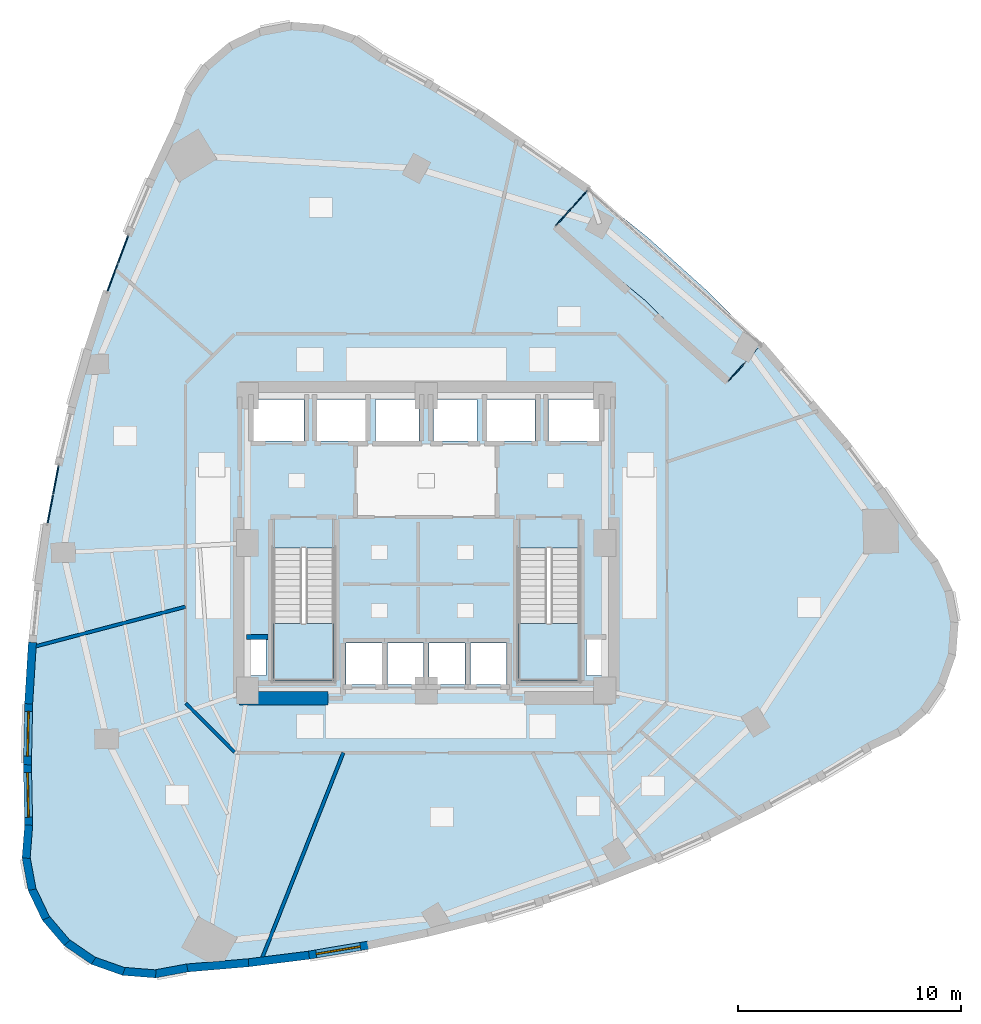
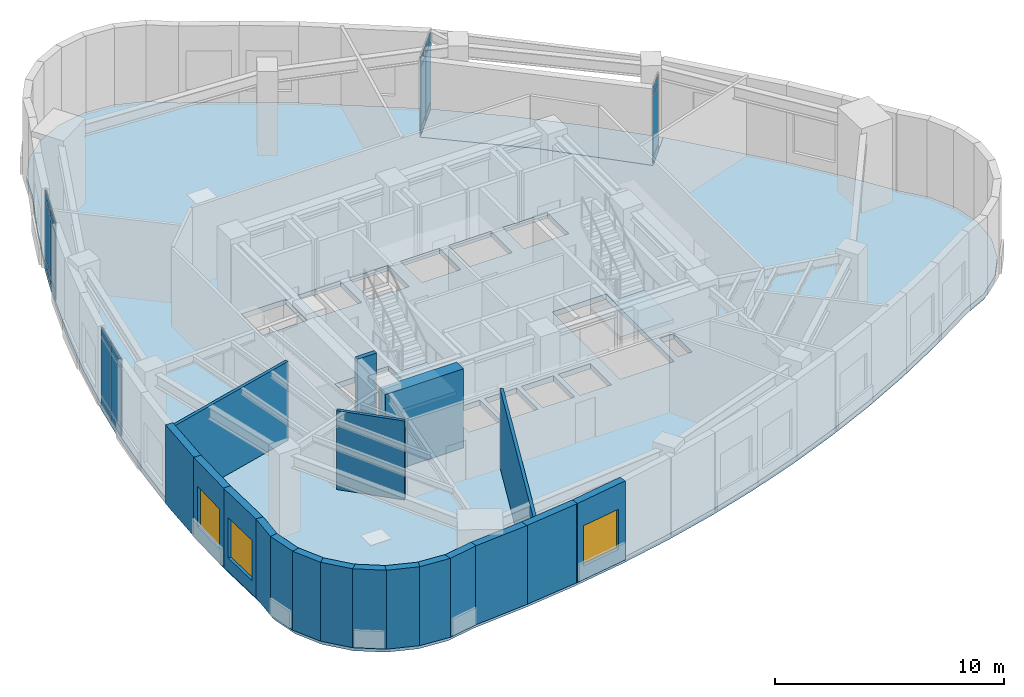
# One storey, part 12 of 19: 21 plates, 19 walls, 4 slabs, 3 windows, 3 openings, 6 elements without a shape of their own.
"""IFC4 building model written with IfcOpenShell, lengths in metres."""

import ifcopenshell
import ifcopenshell.guid

model = None  # the IFC model being written
_history = None  # IfcOwnerHistory: only IFC2X3 demands one
_inside = {}  # id of a spatial element -> (the spatial element, [elements in it])
_under = {}  # id of a project, library or spatial element -> (it, [spatial elements below it])
_declared = {}  # id of a project -> (the project, [libraries it declares])
_typed = {}  # id of a type object -> (the type object, [elements of that type])
_made_of = {}  # id of a material, layer set ... -> (it, [elements and type objects made of it])


def new_model(schema):
    """Start an empty IFC model of exactly this schema.

    Asked for "IFC4X3", IfcOpenShell would pick the latest addendum, in which some entities
    have other attributes; the version numbers below select the first issue.
    IFC2X3 requires an IfcOwnerHistory on every rooted entity: one is made here for all.
    """
    global model, _history
    if schema == "IFC4X3":
        model = ifcopenshell.file(schema_version=(4, 3, 0, 0))
    else:
        model = ifcopenshell.file(schema=schema)
    _inside.clear()
    _under.clear()
    _declared.clear()
    _typed.clear()
    _made_of.clear()
    _history = None
    if model.schema == "IFC2X3":
        org = make("IfcOrganization", Name="unknown")
        user = make(
            "IfcPersonAndOrganization",
            ThePerson=make("IfcPerson", FamilyName="unknown"),
            TheOrganization=org,
        )
        app = make(
            "IfcApplication",
            ApplicationDeveloper=org,
            Version="unknown",
            ApplicationFullName="unknown",
            ApplicationIdentifier="unknown",
        )
        _history = make(
            "IfcOwnerHistory",
            OwningUser=user,
            OwningApplication=app,
            ChangeAction="ADDED",
            CreationDate=0,
        )
    return model


def make(cls, **values):
    """One entity of the class cls with the attributes given. An attribute that is None is left unset."""
    return model.create_entity(
        cls, **{name: value for name, value in values.items() if value is not None}
    )


def rooted(cls, **values):
    """An entity with a GlobalId (a new one), such as an element, a storey or a relation."""
    return make(cls, GlobalId=ifcopenshell.guid.new(), OwnerHistory=_history, **values)


def si_unit(unit_type, name, prefix=None):
    """IfcSIUnit, for example si_unit("LENGTHUNIT", "METRE", prefix="MILLI")."""
    return make("IfcSIUnit", UnitType=unit_type, Prefix=prefix, Name=name)


def assignment(units):
    """IfcUnitAssignment: the units of a project."""
    return None if units is None else make("IfcUnitAssignment", Units=units)


def point(xyz):
    """IfcCartesianPoint."""
    return None if xyz is None else make("IfcCartesianPoint", Coordinates=xyz)


def direction(xyz):
    """IfcDirection."""
    return None if xyz is None else make("IfcDirection", DirectionRatios=xyz)


def frame(location, z_axis=None, x_axis=None):
    """IfcAxis2Placement3D, a coordinate frame: its origin and axes. An axis left out is left unset."""
    return make(
        "IfcAxis2Placement3D",
        Location=point(location),
        Axis=direction(z_axis),
        RefDirection=direction(x_axis),
    )


def frame_2d(location, x_axis=None):
    """IfcAxis2Placement2D, a coordinate frame in the plane: its origin and x axis."""
    return make(
        "IfcAxis2Placement2D", Location=point(location), RefDirection=direction(x_axis)
    )


def origin():
    """The frame at (0, 0, 0) with its axes left unset."""
    return frame((0.0, 0.0, 0.0))


def origin_2d():
    """The frame at (0, 0) in the plane with its x axis left unset."""
    return frame_2d((0.0, 0.0))


def place(relative_to, where):
    """IfcLocalPlacement: puts the frame where relative to a parent placement (None: the world)."""
    return make(
        "IfcLocalPlacement", PlacementRelTo=relative_to, RelativePlacement=where
    )


def context(
    kind, dimensions, precision=None, world=None, true_north=None, identifier=None
):
    """IfcGeometricRepresentationContext, for example the 3D "Model" context."""
    return make(
        "IfcGeometricRepresentationContext",
        ContextIdentifier=identifier,
        ContextType=kind,
        CoordinateSpaceDimension=dimensions,
        Precision=precision,
        WorldCoordinateSystem=world,
        TrueNorth=true_north,
    )


def subcontext(parent, identifier, kind, view, scale=None):
    """IfcGeometricRepresentationSubContext, for example "Body" below "Model"."""
    return make(
        "IfcGeometricRepresentationSubContext",
        ContextIdentifier=identifier,
        ContextType=kind,
        ParentContext=parent,
        TargetScale=scale,
        TargetView=view,
    )


def project(units=None, contexts=None):
    """IfcProject with its units and contexts."""
    return rooted(
        "IfcProject",
        Name="project",
        RepresentationContexts=contexts,
        UnitsInContext=assignment(units),
    )


def spatial(cls, under=None, at=None, **own):
    """A site, building, storey or space (cls), placed at a placement, below another one or the project."""
    s = rooted(cls, ObjectPlacement=at, **own)
    if under is not None:
        _under.setdefault(under.id(), (under, []))[1].append(s)
    return s


def polyline(points):
    """IfcPolyline through the points."""
    return make("IfcPolyline", Points=[point(p) for p in points])


def profile(cls, at=None, kind="AREA", **sizes):
    """A parametric profile (cls). Its sizes go by their IFC names, for example OverallWidth=200.0."""
    return make(cls, ProfileType=kind, Position=at, **sizes)


def rectangle(**sizes):
    """IfcRectangleProfileDef."""
    return profile("IfcRectangleProfileDef", **sizes)


def outline(outer, holes=None, kind="AREA"):
    """IfcArbitraryClosedProfileDef: a profile drawn as a closed curve; with holes, ...WithVoids."""
    if holes is None:
        return make("IfcArbitraryClosedProfileDef", ProfileType=kind, OuterCurve=outer)
    return make(
        "IfcArbitraryProfileDefWithVoids",
        ProfileType=kind,
        OuterCurve=outer,
        InnerCurves=holes,
    )


def extrude(swept, where, along, depth):
    """IfcExtrudedAreaSolid: the profile swept, set in the frame where, extruded along a direction by depth."""
    return make(
        "IfcExtrudedAreaSolid",
        SweptArea=swept,
        Position=where,
        ExtrudedDirection=direction(along),
        Depth=depth,
    )


def shape(context_of_items, identifier, shape_type, items):
    """IfcShapeRepresentation: the items that make up one representation, for example the "Body"."""
    return make(
        "IfcShapeRepresentation",
        ContextOfItems=context_of_items,
        RepresentationIdentifier=identifier,
        RepresentationType=shape_type,
        Items=items,
    )


def material(Name=None, Category=None):
    """IfcMaterial."""
    return make("IfcMaterial", Name=Name, Category=Category)


def layer(
    of_material, thickness, ventilated=None, Name=None, Category=None, Priority=None
):
    """IfcMaterialLayer: one layer of a wall or slab, of a material (None: an air gap)."""
    return make(
        "IfcMaterialLayer",
        Material=of_material,
        LayerThickness=thickness,
        IsVentilated=ventilated,
        Name=Name,
        Category=Category,
        Priority=Priority,
    )


def layer_set(layers, Name=None):
    """IfcMaterialLayerSet."""
    return make("IfcMaterialLayerSet", MaterialLayers=layers, LayerSetName=Name)


def made_of(thing, what):
    """Note that an element or type object is made of a material, layer set ...; save() writes the relation."""
    if what is not None:
        _made_of.setdefault(what.id(), (what, []))[1].append(thing)
    return thing


def type_object(cls, material=None, **own):
    """A type object (cls), such as IfcWallType, which elements share."""
    return made_of(rooted(cls, **own), material)


def element(
    cls,
    number,
    at=None,
    inside=None,
    cuts=None,
    type_object=None,
    material=None,
    context=None,
    identifier="Body",
    shape_type=None,
    held_by="IfcProductDefinitionShape",
    body=None,
    shapes=None,
    **own,
):
    """One element of the class cls, such as IfcWall. Its Tag is "e" and its number.

    at: its placement. inside: the storey or other place that contains it. cuts: it is an
    opening in that element (IfcRelVoidsElement). A single representation is given by context,
    identifier, shape_type and body (its items); several are given by shapes. held_by: the class
    of the entity that holds the representations. save() writes the other relations.
    """
    e = rooted(cls, Tag="e%d" % number, ObjectPlacement=at, **own)
    if body is not None:
        shapes = [shape(context, identifier, shape_type, body)]
    if shapes is not None:
        e.Representation = make(held_by, Representations=shapes)
    if inside is not None:
        _inside.setdefault(inside.id(), (inside, []))[1].append(e)
    if cuts is not None:
        rooted(
            "IfcRelVoidsElement", RelatingBuildingElement=cuts, RelatedOpeningElement=e
        )
    if type_object is not None:
        _typed.setdefault(type_object.id(), (type_object, []))[1].append(e)
    return made_of(e, material)


def fill(opening, filler):
    """IfcRelFillsElement: the door or window that sits in an opening."""
    return rooted(
        "IfcRelFillsElement",
        RelatingOpeningElement=opening,
        RelatedBuildingElement=filler,
    )


def aggregate(whole, parts):
    """IfcRelAggregates: a whole, such as a stair, and the parts it consists of."""
    return rooted("IfcRelAggregates", RelatingObject=whole, RelatedObjects=parts)


def save(model, path):
    """Write the relations noted so far, then the file.

    IfcRelAggregates (storeys below a building ...), IfcRelContainedInSpatialStructure (elements
    in a storey), IfcRelDefinesByType, IfcRelAssociatesMaterial and IfcRelDeclares: one each for
    every whole, place, type object, material and project.
    """
    for whole, parts in _under.values():
        aggregate(whole, parts)
    for where, things in _inside.values():
        rooted(
            "IfcRelContainedInSpatialStructure",
            RelatedElements=things,
            RelatingStructure=where,
        )
    for kind, things in _typed.values():
        rooted("IfcRelDefinesByType", RelatedObjects=things, RelatingType=kind)
    for what, things in _made_of.values():
        rooted("IfcRelAssociatesMaterial", RelatedObjects=things, RelatingMaterial=what)
    for by, libraries in _declared.values():
        rooted("IfcRelDeclares", RelatingContext=by, RelatedDefinitions=libraries)
    model.write(path)


model = new_model("IFC4")

# Units and contexts
model_context = context("Model", 3, precision=1e-05, world=origin(), true_north=direction((0.0, 1.0)))
body_context = subcontext(model_context, "Body", "Model", "MODEL_VIEW")
ifc_project = project(units=[si_unit("LENGTHUNIT", "METRE"), si_unit("AREAUNIT", "SQUARE_METRE"), si_unit("VOLUMEUNIT", "CUBIC_METRE"), si_unit("PLANEANGLEUNIT", "RADIAN"), si_unit("MASSUNIT", "GRAM", prefix="KILO")], contexts=[model_context])

# Site, building, storey
site_placement = place(None, origin())
site = spatial("IfcSite", under=ifc_project, at=site_placement, CompositionType="ELEMENT")
building_placement = place(site_placement, origin())
building = spatial("IfcBuilding", under=site, at=building_placement, Name="Ndelora Gate Hotel", CompositionType="ELEMENT")
storey_placement = place(building_placement, frame((0.0, 0.0, 88.25)))
storey = spatial("IfcBuildingStorey", under=building, at=storey_placement, Name="L21", CompositionType="ELEMENT", Elevation=88.25)

# Curtain wall, plates
ifc_material_1 = material(Name="Bronze Anodised Unitised Aluminium and Low-E Glass", Category="aluminium")
ifc_layer_1 = layer(ifc_material_1, 0.199951171875)
ifc_layer_set_1 = layer_set([ifc_layer_1], Name="Bronze Anodised Unitised Aluminium and Low-E Glass")
curtain_wall_type_1 = type_object("IfcCurtainWallType", Name="CW-SYS-3", PredefinedType="NOTDEFINED", material=ifc_layer_set_1)
curtain_wall_1_placement = place(storey_placement, origin())
curtain_wall_1 = element("IfcCurtainWall", 1, at=curtain_wall_1_placement, inside=storey, type_object=curtain_wall_type_1, Name="L21 Sky-Garden Loggia Side Curtain Wall CW3-1", PredefinedType="NOTDEFINED")
ifc_material_2 = material(Name="Solar-Control Low-E Insulated Glazing", Category="glass")
ifc_layer_2 = layer(ifc_material_2, 0.048095703125)
ifc_layer_set_2 = layer_set([ifc_layer_2], Name="Solar-Control Low-E Insulated Glazing")
plate_type = type_object("IfcPlateType", Name="PL-CW-GLZ36", PredefinedType="CURTAIN_PANEL", material=ifc_layer_set_2)
plate_1_placement = place(storey_placement, frame((13.878173828125, 7.641845703125, 0.05908203125), z_axis=(0.0, 0.0, 1.0), x_axis=(0.66911548338, 0.74315844199, 0.0)))
plate_1 = element("IfcPlate", 2, at=plate_1_placement, type_object=plate_type, Name="CW3 panel 1.1", PredefinedType="CURTAIN_PANEL", context=body_context, shape_type="SweptSolid", body=[
    extrude(rectangle(XDim=0.9814453125, YDim=0.048095703125, at=origin_2d()), origin(), (0.0, 0.0, 1.0), 0.364501953125),
])
plate_2_placement = place(storey_placement, frame((13.878173828125, 7.641845703125, 0.4765625), z_axis=(0.0, 0.0, 1.0), x_axis=(0.66911548338, 0.74315844199, 0.0)))
plate_2 = element("IfcPlate", 3, at=plate_2_placement, type_object=plate_type, Name="CW3 panel 1.2", PredefinedType="CURTAIN_PANEL", context=body_context, shape_type="SweptSolid", body=[
    extrude(rectangle(XDim=0.9814453125, YDim=0.048095703125, at=origin_2d()), origin(), (0.0, 0.0, 1.0), 3.156982421875),
])
plate_3_placement = place(storey_placement, frame((13.878173828125, 7.641845703125, 3.6865234375), z_axis=(0.0, 0.0, 1.0), x_axis=(0.66911548338, 0.74315844199, 0.0)))
plate_3 = element("IfcPlate", 4, at=plate_3_placement, type_object=plate_type, Name="CW3 panel 1.3", PredefinedType="CURTAIN_PANEL", context=body_context, shape_type="SweptSolid", body=[
    extrude(rectangle(XDim=0.9814453125, YDim=0.048095703125, at=origin_2d()), origin(), (0.0, 0.0, 1.0), 0.464599609375),
])
aggregate(curtain_wall_1, [plate_1, plate_2, plate_3])

curtain_wall_2_placement = place(storey_placement, origin())
curtain_wall_2 = element("IfcCurtainWall", 5, at=curtain_wall_2_placement, inside=storey, type_object=curtain_wall_type_1, Name="L21 Sky-Garden Loggia Side Curtain Wall CW3-2", PredefinedType="NOTDEFINED")
plate_4_placement = place(storey_placement, frame((6.874755859375, 15.406494140625, 0.05908203125), z_axis=(0.0, 0.0, 1.0), x_axis=(-0.669137993626, -0.743138173886, 0.0)))
plate_4 = element("IfcPlate", 6, at=plate_4_placement, type_object=plate_type, Name="CW3 panel 1.1", PredefinedType="CURTAIN_PANEL", context=body_context, shape_type="SweptSolid", body=[
    extrude(rectangle(XDim=1.014404296875, YDim=0.048095703125, at=origin_2d()), origin(), (0.0, 0.0, 1.0), 0.364501953125),
])
plate_5_placement = place(storey_placement, frame((6.874755859375, 15.406494140625, 0.4765625), z_axis=(0.0, 0.0, 1.0), x_axis=(-0.669137993626, -0.743138173886, 0.0)))
plate_5 = element("IfcPlate", 7, at=plate_5_placement, type_object=plate_type, Name="CW3 panel 1.2", PredefinedType="CURTAIN_PANEL", context=body_context, shape_type="SweptSolid", body=[
    extrude(rectangle(XDim=1.014404296875, YDim=0.048095703125, at=origin_2d()), origin(), (0.0, 0.0, 1.0), 3.156982421875),
])
plate_6_placement = place(storey_placement, frame((6.874755859375, 15.406494140625, 3.6865234375), z_axis=(0.0, 0.0, 1.0), x_axis=(-0.669137993626, -0.743138173886, 0.0)))
plate_6 = element("IfcPlate", 8, at=plate_6_placement, type_object=plate_type, Name="CW3 panel 1.3", PredefinedType="CURTAIN_PANEL", context=body_context, shape_type="SweptSolid", body=[
    extrude(rectangle(XDim=1.014404296875, YDim=0.048095703125, at=origin_2d()), origin(), (0.0, 0.0, 1.0), 0.464599609375),
])
plate_7_placement = place(storey_placement, frame((6.160400390625, 14.61328125, 0.05908203125), z_axis=(0.0, 0.0, 1.0), x_axis=(-0.669137993626, -0.743138173886, 0.0)))
plate_7 = element("IfcPlate", 9, at=plate_7_placement, type_object=plate_type, Name="CW3 panel 2.1", PredefinedType="CURTAIN_PANEL", context=body_context, shape_type="SweptSolid", body=[
    extrude(rectangle(XDim=1.014404296875, YDim=0.048095703125, at=origin_2d()), origin(), (0.0, 0.0, 1.0), 0.364501953125),
])
plate_8_placement = place(storey_placement, frame((6.160400390625, 14.61328125, 0.4765625), z_axis=(0.0, 0.0, 1.0), x_axis=(-0.669137993626, -0.743138173886, 0.0)))
plate_8 = element("IfcPlate", 10, at=plate_8_placement, type_object=plate_type, Name="CW3 panel 2.2", PredefinedType="CURTAIN_PANEL", context=body_context, shape_type="SweptSolid", body=[
    extrude(rectangle(XDim=1.014404296875, YDim=0.048095703125, at=origin_2d()), origin(), (0.0, 0.0, 1.0), 3.156982421875),
])
plate_9_placement = place(storey_placement, frame((6.160400390625, 14.61328125, 3.6865234375), z_axis=(0.0, 0.0, 1.0), x_axis=(-0.669137993626, -0.743138173886, 0.0)))
plate_9 = element("IfcPlate", 11, at=plate_9_placement, type_object=plate_type, Name="CW3 panel 2.3", PredefinedType="CURTAIN_PANEL", context=body_context, shape_type="SweptSolid", body=[
    extrude(rectangle(XDim=1.014404296875, YDim=0.048095703125, at=origin_2d()), origin(), (0.0, 0.0, 1.0), 0.464599609375),
])
aggregate(curtain_wall_2, [plate_4, plate_5, plate_6, plate_7, plate_8, plate_9])

ifc_layer_3 = layer(ifc_material_1, 0.2099609375)
ifc_layer_set_3 = layer_set([ifc_layer_3], Name="Bronze Anodised Unitised Aluminium and Low-E Glass")
curtain_wall_type_2 = type_object("IfcCurtainWallType", Name="CW-SYS-4", PredefinedType="NOTDEFINED", material=ifc_layer_set_3)
curtain_wall_3_placement = place(storey_placement, origin())
curtain_wall_3 = element("IfcCurtainWall", 12, at=curtain_wall_3_placement, inside=storey, type_object=curtain_wall_type_2, Name="L21 Lower Sky-Lobby & Highland Spa Curtain Wall 1", PredefinedType="NOTDEFINED")
plate_10_placement = place(storey_placement, frame((-13.58203125, 13.151123046875, 0.05908203125), z_axis=(0.0, 0.0, 1.0), x_axis=(-0.349627701764, -0.93688871813, 0.0)))
plate_10 = element("IfcPlate", 13, at=plate_10_placement, type_object=plate_type, Name="CW4 panel 1.1", PredefinedType="CURTAIN_PANEL", context=body_context, shape_type="SweptSolid", body=[
    extrude(rectangle(XDim=1.28857421875, YDim=0.048095703125, at=origin_2d()), origin(), (0.0, 0.0, 1.0), 0.41455078125),
])
plate_11_placement = place(storey_placement, frame((-13.58203125, 13.151123046875, 0.526611328125), z_axis=(0.0, 0.0, 1.0), x_axis=(-0.349627701764, -0.93688871813, 0.0)))
plate_11 = element("IfcPlate", 14, at=plate_11_placement, type_object=plate_type, Name="CW4 panel 1.2", PredefinedType="CURTAIN_PANEL", context=body_context, shape_type="SweptSolid", body=[
    extrude(rectangle(XDim=1.28857421875, YDim=0.048095703125, at=origin_2d()), origin(), (0.0, 0.0, 1.0), 3.10693359375),
])
plate_12_placement = place(storey_placement, frame((-13.58203125, 13.151123046875, 3.6865234375), z_axis=(0.0, 0.0, 1.0), x_axis=(-0.349627701764, -0.93688871813, 0.0)))
plate_12 = element("IfcPlate", 15, at=plate_12_placement, type_object=plate_type, Name="CW4 panel 1.3", PredefinedType="CURTAIN_PANEL", context=body_context, shape_type="SweptSolid", body=[
    extrude(rectangle(XDim=1.28857421875, YDim=0.048095703125, at=origin_2d()), origin(), (0.0, 0.0, 1.0), 0.464599609375),
])
plate_13_placement = place(storey_placement, frame((-14.05126953125, 11.89404296875, 0.05908203125), z_axis=(0.0, 0.0, 1.0), x_axis=(-0.349627701764, -0.93688871813, 0.0)))
plate_13 = element("IfcPlate", 16, at=plate_13_placement, type_object=plate_type, Name="CW4 panel 2.1", PredefinedType="CURTAIN_PANEL", context=body_context, shape_type="SweptSolid", body=[
    extrude(rectangle(XDim=1.28857421875, YDim=0.048095703125, at=origin_2d()), origin(), (0.0, 0.0, 1.0), 0.41455078125),
])
plate_14_placement = place(storey_placement, frame((-14.05126953125, 11.89404296875, 0.526611328125), z_axis=(0.0, 0.0, 1.0), x_axis=(-0.349627701764, -0.93688871813, 0.0)))
plate_14 = element("IfcPlate", 17, at=plate_14_placement, type_object=plate_type, Name="CW4 panel 2.2", PredefinedType="CURTAIN_PANEL", context=body_context, shape_type="SweptSolid", body=[
    extrude(rectangle(XDim=1.28857421875, YDim=0.048095703125, at=origin_2d()), origin(), (0.0, 0.0, 1.0), 3.10693359375),
])
plate_15_placement = place(storey_placement, frame((-14.05126953125, 11.89404296875, 3.6865234375), z_axis=(0.0, 0.0, 1.0), x_axis=(-0.349627701764, -0.93688871813, 0.0)))
plate_15 = element("IfcPlate", 18, at=plate_15_placement, type_object=plate_type, Name="CW4 panel 2.3", PredefinedType="CURTAIN_PANEL", context=body_context, shape_type="SweptSolid", body=[
    extrude(rectangle(XDim=1.28857421875, YDim=0.048095703125, at=origin_2d()), origin(), (0.0, 0.0, 1.0), 0.464599609375),
])
aggregate(curtain_wall_3, [plate_10, plate_11, plate_12, plate_13, plate_14, plate_15])

curtain_wall_4_placement = place(storey_placement, origin())
curtain_wall_4 = element("IfcCurtainWall", 19, at=curtain_wall_4_placement, inside=storey, type_object=curtain_wall_type_2, Name="L21 Lower Sky-Lobby & Highland Spa Curtain Wall 2", PredefinedType="NOTDEFINED")
plate_16_placement = place(storey_placement, frame((-16.5888671875, 2.8349609375, 0.05908203125), z_axis=(0.0, 0.0, 1.0), x_axis=(-0.187056346946, -0.982349185915, 0.0)))
plate_16 = element("IfcPlate", 20, at=plate_16_placement, type_object=plate_type, Name="CW4 panel 1.1", PredefinedType="CURTAIN_PANEL", context=body_context, shape_type="SweptSolid", body=[
    extrude(rectangle(XDim=1.274169921875, YDim=0.048095703125, at=origin_2d()), origin(), (0.0, 0.0, 1.0), 0.41455078125),
])
plate_17_placement = place(storey_placement, frame((-16.5888671875, 2.8349609375, 0.526611328125), z_axis=(0.0, 0.0, 1.0), x_axis=(-0.187056346946, -0.982349185915, 0.0)))
plate_17 = element("IfcPlate", 21, at=plate_17_placement, type_object=plate_type, Name="CW4 panel 1.2", PredefinedType="CURTAIN_PANEL", context=body_context, shape_type="SweptSolid", body=[
    extrude(rectangle(XDim=1.274169921875, YDim=0.048095703125, at=origin_2d()), origin(), (0.0, 0.0, 1.0), 3.10693359375),
])
plate_18_placement = place(storey_placement, frame((-16.5888671875, 2.8349609375, 3.6865234375), z_axis=(0.0, 0.0, 1.0), x_axis=(-0.187056346946, -0.982349185915, 0.0)))
plate_18 = element("IfcPlate", 22, at=plate_18_placement, type_object=plate_type, Name="CW4 panel 1.3", PredefinedType="CURTAIN_PANEL", context=body_context, shape_type="SweptSolid", body=[
    extrude(rectangle(XDim=1.274169921875, YDim=0.048095703125, at=origin_2d()), origin(), (0.0, 0.0, 1.0), 0.464599609375),
])
plate_19_placement = place(storey_placement, frame((-16.837158203125, 1.53125, 0.05908203125), z_axis=(0.0, 0.0, 1.0), x_axis=(-0.187056346946, -0.982349185915, 0.0)))
plate_19 = element("IfcPlate", 23, at=plate_19_placement, type_object=plate_type, Name="CW4 panel 2.1", PredefinedType="CURTAIN_PANEL", context=body_context, shape_type="SweptSolid", body=[
    extrude(rectangle(XDim=1.274169921875, YDim=0.048095703125, at=origin_2d()), origin(), (0.0, 0.0, 1.0), 0.41455078125),
])
plate_20_placement = place(storey_placement, frame((-16.837158203125, 1.53125, 0.526611328125), z_axis=(0.0, 0.0, 1.0), x_axis=(-0.187056346946, -0.982349185915, 0.0)))
plate_20 = element("IfcPlate", 24, at=plate_20_placement, type_object=plate_type, Name="CW4 panel 2.2", PredefinedType="CURTAIN_PANEL", context=body_context, shape_type="SweptSolid", body=[
    extrude(rectangle(XDim=1.274169921875, YDim=0.048095703125, at=origin_2d()), origin(), (0.0, 0.0, 1.0), 3.10693359375),
])
plate_21_placement = place(storey_placement, frame((-16.837158203125, 1.53125, 3.6865234375), z_axis=(0.0, 0.0, 1.0), x_axis=(-0.187056346946, -0.982349185915, 0.0)))
plate_21 = element("IfcPlate", 25, at=plate_21_placement, type_object=plate_type, Name="CW4 panel 2.3", PredefinedType="CURTAIN_PANEL", context=body_context, shape_type="SweptSolid", body=[
    extrude(rectangle(XDim=1.274169921875, YDim=0.048095703125, at=origin_2d()), origin(), (0.0, 0.0, 1.0), 0.464599609375),
])
aggregate(curtain_wall_4, [plate_16, plate_17, plate_18, plate_19, plate_20, plate_21])

# Stair, slab
ifc_material_3 = material(Name="Precast concrete C40/50", Category="concrete")
stair_type = type_object("IfcStairType", Name="STR-DOG-CORE", PredefinedType="HALF_TURN_STAIR", material=ifc_material_3)
stair_1_placement = place(storey_placement, origin())
stair_1 = element("IfcStair", 26, at=stair_1_placement, inside=storey, type_object=stair_type, Name="L21 Protected Core Exit Stair ST4", PredefinedType="HALF_TURN_STAIR")
ifc_layer_4 = layer(ifc_material_3, 0.219970703125)
ifc_layer_set_4 = layer_set([ifc_layer_4], Name="Precast concrete C40/50")
slab_type_1 = type_object("IfcSlabType", Name="SL-LAND-220", PredefinedType="LANDING", material=ifc_layer_set_4)
slab_1_placement = place(storey_placement, frame((0.0, 0.0, 2.050048828125)))
slab_1 = element("IfcSlab", 27, at=slab_1_placement, type_object=slab_type_1, Name="ST4 landing 1", PredefinedType="LANDING", context=body_context, shape_type="SweptSolid", body=[
    extrude(outline(polyline([(-6.85009765625, -3.590087890625), (-6.85009765625, -6.14990234375), (-4.1298828125, -6.14990234375), (-4.1298828125, -3.590087890625), (-6.85009765625, -3.590087890625)])), origin(), (0.0, 0.0, 1.0), 0.199951171875),
])
aggregate(stair_1, [slab_1])

stair_2_placement = place(storey_placement, origin())
stair_2 = element("IfcStair", 28, at=stair_2_placement, inside=storey, type_object=stair_type, Name="L21 Protected Core Exit Stair ST5", PredefinedType="HALF_TURN_STAIR")
slab_2_placement = place(storey_placement, frame((0.0, 0.0, 2.050048828125)))
slab_2 = element("IfcSlab", 29, at=slab_2_placement, type_object=slab_type_1, Name="ST5 landing 1", PredefinedType="LANDING", context=body_context, shape_type="SweptSolid", body=[
    extrude(outline(polyline([(4.1298828125, -3.590087890625), (4.1298828125, -6.14990234375), (6.85009765625, -6.14990234375), (6.85009765625, -3.590087890625), (4.1298828125, -3.590087890625)])), origin(), (0.0, 0.0, 1.0), 0.199951171875),
])
aggregate(stair_2, [slab_2])

# Slabs
ifc_material_4 = material(Name="Concrete C50/60", Category="concrete")
ifc_layer_5 = layer(ifc_material_4, 0.2900390625)
ifc_layer_set_5 = layer_set([ifc_layer_5], Name="Concrete C50/60")
slab_type_2 = type_object("IfcSlabType", Name="SL-SKY-290", PredefinedType="FLOOR", material=ifc_layer_set_5)
slab_3_placement = place(storey_placement, frame((0.0, 0.0, -0.2900390625)))
element("IfcSlab", 30, at=slab_3_placement, inside=storey, type_object=slab_type_2, Name="L21 Structural Floor Slab", PredefinedType="FLOOR", context=body_context, shape_type="SweptSolid", body=[
    extrude(outline(polyline([(-2.05517578125, 21.7392578125), (-3.238525390625, 22.552490234375), (-4.591796875, 23.03173828125), (-6.023193359375, 23.144287109375), (-7.43505859375, 22.8828125), (-8.73095703125, 22.2646484375), (-9.82275390625, 21.33203125), (-10.635986328125, 20.14892578125), (-11.115234375, 18.79541015625), (-12.284912109375, 16.305419921875), (-13.34326171875, 13.79150390625), (-14.2900390625, 11.25390625), (-15.12548828125, 8.692626953125), (-15.849609375, 6.10791015625), (-16.46240234375, 3.499267578125), (-16.963623046875, 0.866943359375), (-17.353515625, -1.7890625), (-17.632080078125, -4.468505859375), (-17.799072265625, -7.171875), (-17.854736328125, -9.89892578125), (-17.799072265625, -12.6494140625), (-17.91162109375, -14.080810546875), (-17.650146484375, -15.49267578125), (-17.031982421875, -16.78857421875), (-16.099609375, -17.88037109375), (-14.916259765625, -18.693603515625), (-13.562744140625, -19.1728515625), (-12.13134765625, -19.285400390625), (-10.7197265625, -19.023681640625), (-7.978271484375, -18.791748046875), (-5.272216796875, -18.451416015625), (-2.60107421875, -18.00244140625), (0.03466796875, -17.445556640625), (2.635498046875, -16.780029296875), (5.20068359375, -16.00634765625), (7.73095703125, -15.12451171875), (10.22607421875, -14.134033203125), (12.685791015625, -13.035400390625), (15.110595703125, -11.82861328125), (17.5, -10.51318359375), (19.854248046875, -9.089599609375), (21.150390625, -8.4716796875), (22.241943359375, -7.5390625), (23.055419921875, -6.35595703125), (23.53466796875, -5.00244140625), (23.647216796875, -3.571044921875), (23.385498046875, -2.1591796875), (22.767333984375, -0.86328125), (21.8349609375, 0.228515625), (20.32763671875, 2.397705078125), (18.75, 4.489013671875), (14.982421875, 8.868408203125), (13.51025390625, 7.2333984375), (9.78955078125, 10.872314453125), (5.781494140625, 14.1923828125), (7.253662109375, 15.827392578125), (2.504638671875, 19.116455078125), (0.259765625, 20.466796875), (-2.05517578125, 21.7392578125)]), holes=[polyline([(-6.85009765625, -0.22998046875), (-6.85009765625, -6.14990234375), (-4.1298828125, -6.14990234375), (-4.1298828125, -0.22998046875), (-6.85009765625, -0.22998046875)]), polyline([(4.1298828125, -0.22998046875), (4.1298828125, -6.14990234375), (6.85009765625, -6.14990234375), (6.85009765625, -0.22998046875), (4.1298828125, -0.22998046875)]), polyline([(-7.72998046875, 4.570068359375), (-5.469970703125, 4.570068359375), (-5.469970703125, 6.429931640625), (-7.72998046875, 6.429931640625), (-7.72998046875, 4.570068359375)]), polyline([(5.469970703125, 4.570068359375), (7.72998046875, 4.570068359375), (7.72998046875, 6.429931640625), (5.469970703125, 6.429931640625), (5.469970703125, 4.570068359375)]), polyline([(-4.8798828125, 4.570068359375), (-2.719970703125, 4.570068359375), (-2.719970703125, 6.429931640625), (-4.8798828125, 6.429931640625), (-4.8798828125, 4.570068359375)]), polyline([(2.719970703125, 4.570068359375), (4.8798828125, 4.570068359375), (4.8798828125, 6.429931640625), (2.719970703125, 6.429931640625), (2.719970703125, 4.570068359375)]), polyline([(-3.60009765625, -6.330078125), (-1.97998046875, -6.330078125), (-1.97998046875, -4.469970703125), (-3.60009765625, -4.469970703125), (-3.60009765625, -6.330078125)]), polyline([(-1.739990234375, -6.330078125), (-0.1201171875, -6.330078125), (-0.1201171875, -4.469970703125), (-1.739990234375, -4.469970703125), (-1.739990234375, -6.330078125)]), polyline([(0.1201171875, -6.330078125), (1.739990234375, -6.330078125), (1.739990234375, -4.469970703125), (0.1201171875, -4.469970703125), (0.1201171875, -6.330078125)]), polyline([(1.97998046875, -6.330078125), (3.60009765625, -6.330078125), (3.60009765625, -4.469970703125), (1.97998046875, -4.469970703125), (1.97998046875, -6.330078125)]), polyline([(-2.280029296875, 4.570068359375), (-0.320068359375, 4.570068359375), (-0.320068359375, 6.429931640625), (-2.280029296875, 6.429931640625), (-2.280029296875, 4.570068359375)]), polyline([(0.320068359375, 4.570068359375), (2.280029296875, 4.570068359375), (2.280029296875, 6.429931640625), (0.320068359375, 6.429931640625), (0.320068359375, 4.570068359375)]), polyline([(-7.89990234375, -5.919921875), (-7.179931640625, -5.919921875), (-7.179931640625, -4.320068359375), (-7.89990234375, -4.320068359375), (-7.89990234375, -5.919921875)]), polyline([(7.179931640625, -5.919921875), (7.89990234375, -5.919921875), (7.89990234375, -4.320068359375), (7.179931640625, -4.320068359375), (7.179931640625, -5.919921875)])]), origin(), (0.0, 0.0, 1.0), 0.2900390625),
])
ifc_layer_6 = layer(ifc_material_3, 0.239990234375)
ifc_layer_set_6 = layer_set([ifc_layer_6], Name="Precast concrete C40/50")
slab_type_3 = type_object("IfcSlabType", Name="SL-TER-240", PredefinedType="FLOOR", material=ifc_layer_set_6)
slab_4_placement = place(storey_placement, frame((0.0, 0.0, -0.239990234375)))
element("IfcSlab", 31, at=slab_4_placement, inside=storey, type_object=slab_type_3, Name="L21 Sky Garden Loggia Terrace Slab", PredefinedType="FLOOR", context=body_context, shape_type="SweptSolid", body=[
    extrude(outline(polyline([(13.51025390625, 7.2333984375), (14.982421875, 8.868408203125), (12.558837890625, 11.305908203125), (9.93115234375, 13.671875), (7.253662109375, 15.827392578125), (5.781494140625, 14.1923828125), (9.78955078125, 10.872314453125), (13.51025390625, 7.2333984375)])), origin(), (0.0, 0.0, 1.0), 0.239990234375),
])

# Wall
ifc_material_5 = material(Name="Clay Brick Masonry", Category="masonry")
ifc_layer_7 = layer(ifc_material_5, 0.360107421875)
ifc_layer_set_7 = layer_set([ifc_layer_7], Name="Clay Brick Masonry")
wall_type_1 = type_object("IfcWallType", Name="WL-BRICK-360", PredefinedType="SOLIDWALL", material=ifc_layer_set_7)
wall_1_placement = place(storey_placement, frame((-17.800537109375, -7.197021484375, 0.0), z_axis=(0.0, 0.0, 1.0), x_axis=(0.0615958871, 0.99810117057, 0.0)))
element("IfcWall", 32, at=wall_1_placement, inside=storey, type_object=wall_type_1, Name="L21 Tower Brick Pier-and-Spandrel Wall TWR-18", PredefinedType="SOLIDWALL", context=body_context, shape_type="SweptSolid", body=[
    extrude(rectangle(XDim=2.758544921875, YDim=0.360107421875, at=frame_2d((1.37939453125, 0.0))), origin(), (0.0, 0.0, 1.0), 4.2099609375),
])

# Wall, opening, window
wall_2_placement = place(storey_placement, frame((-17.855224609375, -9.923828125, 0.0), z_axis=(0.0, 0.0, 1.0), x_axis=(0.020393155689, 0.999792037976, 0.0)))
wall_2 = element("IfcWall", 33, at=wall_2_placement, inside=storey, type_object=wall_type_1, Name="L21 Tower Brick Pier-and-Spandrel Wall TWR-19", PredefinedType="SOLIDWALL", context=body_context, shape_type="SweptSolid", body=[
    extrude(rectangle(XDim=2.77734375, YDim=0.360107421875, at=frame_2d((1.388671875, 0.0))), origin(), (0.0, 0.0, 1.0), 4.2099609375),
])
opening_1_placement = place(wall_2_placement, frame((0.388916015625, 0.0, 0.719970703125)))
opening_1 = element("IfcOpeningElement", 34, at=opening_1_placement, cuts=wall_2, Name="Opening W05", PredefinedType="OPENING", context=body_context, shape_type="SweptSolid", body=[
    extrude(rectangle(XDim=2.0, YDim=2.14990234375, at=frame_2d((1.0, 1.074951171875))), frame((0.0, 0.18994140625, 0.0), z_axis=(0.0, -1.0, 0.0), x_axis=(1.0, 0.0, 0.0)), (0.0, 0.0, 1.0), 0.380126953125),
])
ifc_material_6 = material(Name="Insulated Low-E Double Glazing in Bronze Aluminium Frame", Category="aluminium")
window_type = type_object("IfcWindowType", Name="WN-SKY-2000", PartitioningType="SINGLE_PANEL", PredefinedType="WINDOW", material=ifc_material_6)
window_1_placement = place(opening_1_placement, origin())
window_1 = element("IfcWindow", 35, at=window_1_placement, inside=storey, type_object=window_type, Name="L21 Deep-Set Brick-Pier Window W05", OverallHeight=2.14990234375, OverallWidth=2.0, PartitioningType="SINGLE_PANEL", PredefinedType="WINDOW", context=body_context, shape_type="SweptSolid", body=[
    extrude(rectangle(XDim=2.0, YDim=2.14990234375, at=frame_2d((1.0, 1.074951171875))), frame((0.0, 0.030029296875, 0.0), z_axis=(0.0, -1.0, 0.0), x_axis=(1.0, 0.0, 0.0)), (0.0, 0.0, 1.0), 0.06005859375),
])
fill(opening_1, window_1)

wall_3_placement = place(storey_placement, frame((-17.798583984375, -12.674560546875, 0.0), z_axis=(0.0, 0.0, 1.0), x_axis=(-0.0202190179, 0.999795574763, 0.0)))
wall_3 = element("IfcWall", 36, at=wall_3_placement, inside=storey, type_object=wall_type_1, Name="L21 Tower Brick Pier-and-Spandrel Wall TWR-20", PredefinedType="SOLIDWALL", context=body_context, shape_type="SweptSolid", body=[
    extrude(rectangle(XDim=2.80126953125, YDim=0.360107421875, at=frame_2d((1.400634765625, 0.0))), origin(), (0.0, 0.0, 1.0), 4.2099609375),
])
opening_2_placement = place(wall_3_placement, frame((0.400634765625, 0.0, 0.719970703125)))
opening_2 = element("IfcOpeningElement", 37, at=opening_2_placement, cuts=wall_3, Name="Opening W05", PredefinedType="OPENING", context=body_context, shape_type="SweptSolid", body=[
    extrude(rectangle(XDim=2.0, YDim=2.14990234375, at=frame_2d((1.0, 1.074951171875))), frame((0.0, 0.18994140625, 0.0), z_axis=(0.0, -1.0, 0.0), x_axis=(1.0, 0.0, 0.0)), (0.0, 0.0, 1.0), 0.380126953125),
])
window_2_placement = place(opening_2_placement, origin())
window_2 = element("IfcWindow", 38, at=window_2_placement, inside=storey, type_object=window_type, Name="L21 Deep-Set Brick-Pier Window W05", OverallHeight=2.14990234375, OverallWidth=2.0, PartitioningType="SINGLE_PANEL", PredefinedType="WINDOW", context=body_context, shape_type="SweptSolid", body=[
    extrude(rectangle(XDim=2.0, YDim=2.14990234375, at=frame_2d((1.0, 1.074951171875))), frame((0.0, 0.030029296875, 0.0), z_axis=(0.0, -1.0, 0.0), x_axis=(1.0, 0.0, 0.0)), (0.0, 0.0, 1.0), 0.06005859375),
])
fill(opening_2, window_2)

# Walls
wall_4_placement = place(storey_placement, frame((-17.913818359375, -14.105712890625, 0.0), z_axis=(0.0, 0.0, 1.0), x_axis=(0.078543482647, 0.996910688745, 0.0)))
element("IfcWall", 39, at=wall_4_placement, inside=storey, type_object=wall_type_1, Name="L21 Tower Brick Pier-and-Spandrel Wall TWR-21", PredefinedType="SOLIDWALL", context=body_context, shape_type="SweptSolid", body=[
    extrude(rectangle(XDim=1.48583984375, YDim=0.360107421875, at=frame_2d((0.742919921875, 0.0))), origin(), (0.0, 0.0, 1.0), 4.2099609375),
])
wall_5_placement = place(storey_placement, frame((-17.6455078125, -15.51708984375, 0.0), z_axis=(0.0, 0.0, 1.0), x_axis=(-0.182254034422, 0.983251476956, 0.0)))
element("IfcWall", 40, at=wall_5_placement, inside=storey, type_object=wall_type_1, Name="L21 Tower Brick Pier-and-Spandrel Wall TWR-22", PredefinedType="SOLIDWALL", context=body_context, shape_type="SweptSolid", body=[
    extrude(rectangle(XDim=1.485595703125, YDim=0.360107421875, at=frame_2d((0.74267578125, 0.0))), origin(), (0.0, 0.0, 1.0), 4.2099609375),
])
for number, where, z_axis, x_axis, name in (
    (41, (-17.021240234375, -16.81103515625, 0.0), (0.0, 0.0, 1.0), (-0.430507535938, 0.902586982789, 0.0), "L21 Tower Brick Pier-and-Spandrel Wall TWR-23"),
    (42, (-16.083251953125, -17.8994140625, 0.0), (0.0, 0.0, 1.0), (-0.649382924078, 0.760461582144, 0.0), "L21 Tower Brick Pier-and-Spandrel Wall TWR-24"),
    (43, (-14.8955078125, -18.707763671875, 0.0), (0.0, 0.0, 1.0), (-0.824156964718, 0.566361454821, 0.0), "L21 Tower Brick Pier-and-Spandrel Wall TWR-25"),
):
    element("IfcWall", number, at=place(storey_placement, frame(where, z_axis=z_axis, x_axis=x_axis)), inside=storey, type_object=wall_type_1, Name=name, PredefinedType="SOLIDWALL", context=body_context, shape_type="SweptSolid", body=[
        extrude(rectangle(XDim=1.48583984375, YDim=0.360107421875, at=frame_2d((0.742919921875, 0.0))), origin(), (0.0, 0.0, 1.0), 4.2099609375),
    ])
wall_6_placement = place(storey_placement, frame((-13.539306640625, -19.18115234375, 0.0), z_axis=(0.0, 0.0, 1.0), x_axis=(-0.942653080659, 0.333774129501, 0.0)))
element("IfcWall", 44, at=wall_6_placement, inside=storey, type_object=wall_type_1, Name="L21 Tower Brick Pier-and-Spandrel Wall TWR-26", PredefinedType="SOLIDWALL", context=body_context, shape_type="SweptSolid", body=[
    extrude(rectangle(XDim=1.485595703125, YDim=0.360107421875, at=frame_2d((0.74267578125, 0.0))), origin(), (0.0, 0.0, 1.0), 4.2099609375),
])
for number, where, z_axis, x_axis, name in (
    (45, (-12.1064453125, -19.28759765625, 0.0), (0.0, 0.0, 1.0), (-0.996910688745, 0.078543482647, 0.0), "L21 Tower Brick Pier-and-Spandrel Wall TWR-27"),
    (46, (-10.695068359375, -19.019287109375, 0.0), (0.0, 0.0, 1.0), (-0.983256934468, -0.182224588958, 0.0), "L21 Tower Brick Pier-and-Spandrel Wall TWR-28"),
):
    element("IfcWall", number, at=place(storey_placement, frame(where, z_axis=z_axis, x_axis=x_axis)), inside=storey, type_object=wall_type_1, Name=name, PredefinedType="SOLIDWALL", context=body_context, shape_type="SweptSolid", body=[
        extrude(rectangle(XDim=1.48583984375, YDim=0.360107421875, at=frame_2d((0.742919921875, 0.0))), origin(), (0.0, 0.0, 1.0), 4.2099609375),
    ])
wall_7_placement = place(storey_placement, frame((-7.953369140625, -18.78955078125, 0.0), z_axis=(0.0, 0.0, 1.0), x_axis=(-0.996434889396, -0.084365343561, 0.0)))
element("IfcWall", 47, at=wall_7_placement, inside=storey, type_object=wall_type_1, Name="L21 Tower Brick Pier-and-Spandrel Wall TWR-29", PredefinedType="SOLIDWALL", context=body_context, shape_type="SweptSolid", body=[
    extrude(rectangle(XDim=2.80126953125, YDim=0.360107421875, at=frame_2d((1.400634765625, 0.0))), origin(), (0.0, 0.0, 1.0), 4.2099609375),
])
wall_8_placement = place(storey_placement, frame((-5.247314453125, -18.4482421875, 0.0), z_axis=(0.0, 0.0, 1.0), x_axis=(-0.992180208289, -0.124813598137, 0.0)))
element("IfcWall", 48, at=wall_8_placement, inside=storey, type_object=wall_type_1, Name="L21 Tower Brick Pier-and-Spandrel Wall TWR-30", PredefinedType="SOLIDWALL", context=body_context, shape_type="SweptSolid", body=[
    extrude(rectangle(XDim=2.777587890625, YDim=0.360107421875, at=frame_2d((1.388671875, 0.0))), origin(), (0.0, 0.0, 1.0), 4.2099609375),
])

# Wall, opening, window
wall_9_placement = place(storey_placement, frame((-2.576416015625, -17.998291015625, 0.0), z_axis=(0.0, 0.0, 1.0), x_axis=(-0.986180213116, -0.16567615175, 0.0)))
wall_9 = element("IfcWall", 49, at=wall_9_placement, inside=storey, type_object=wall_type_1, Name="L21 Tower Brick Pier-and-Spandrel Wall TWR-31", PredefinedType="SOLIDWALL", context=body_context, shape_type="SweptSolid", body=[
    extrude(rectangle(XDim=2.758544921875, YDim=0.360107421875, at=frame_2d((1.37939453125, 0.0))), origin(), (0.0, 0.0, 1.0), 4.2099609375),
])
opening_3_placement = place(wall_9_placement, frame((0.379150390625, 0.0, 0.719970703125)))
opening_3 = element("IfcOpeningElement", 50, at=opening_3_placement, cuts=wall_9, Name="Opening W05", PredefinedType="OPENING", context=body_context, shape_type="SweptSolid", body=[
    extrude(rectangle(XDim=2.0, YDim=2.14990234375, at=frame_2d((1.0, 1.074951171875))), frame((0.0, 0.18994140625, 0.0), z_axis=(0.0, -1.0, 0.0), x_axis=(1.0, 0.0, 0.0)), (0.0, 0.0, 1.0), 0.380126953125),
])
window_3_placement = place(opening_3_placement, origin())
window_3 = element("IfcWindow", 51, at=window_3_placement, inside=storey, type_object=window_type, Name="L21 Deep-Set Brick-Pier Window W05", OverallHeight=2.14990234375, OverallWidth=2.0, PartitioningType="SINGLE_PANEL", PredefinedType="WINDOW", context=body_context, shape_type="SweptSolid", body=[
    extrude(rectangle(XDim=2.0, YDim=2.14990234375, at=frame_2d((1.0, 1.074951171875))), frame((0.0, 0.030029296875, 0.0), z_axis=(0.0, -1.0, 0.0), x_axis=(1.0, 0.0, 0.0)), (0.0, 0.0, 1.0), 0.06005859375),
])
fill(opening_3, window_3)

# Walls
ifc_material_7 = material(Name="Concrete C60/75", Category="concrete")
ifc_layer_8 = layer(ifc_material_7, 0.60009765625)
ifc_layer_set_8 = layer_set([ifc_layer_8], Name="Concrete C60/75")
wall_type_2 = type_object("IfcWallType", Name="WL-CORE-600", PredefinedType="SHEAR", material=ifc_layer_set_8)
wall_10_placement = place(storey_placement, frame((-8.35009765625, -6.949951171875, 0.0), z_axis=(0.0, 0.0, 1.0), x_axis=(1.0, 0.0, 0.0)))
element("IfcWall", 52, at=wall_10_placement, inside=storey, type_object=wall_type_2, Name="L21 Core Shear Wall S-W", PredefinedType="SHEAR", context=body_context, shape_type="SweptSolid", body=[
    extrude(rectangle(XDim=3.9501953125, YDim=0.60009765625, at=frame_2d((1.97509765625, 0.0))), origin(), (0.0, 0.0, 1.0), 4.2099609375),
])
ifc_material_8 = material(Name="Fire-Rated Gypsum Stud Partition", Category="gypsum")
ifc_layer_9 = layer(ifc_material_8, 0.14990234375)
ifc_layer_set_9 = layer_set([ifc_layer_9], Name="Fire-Rated Gypsum Stud Partition")
wall_type_3 = type_object("IfcWallType", Name="WL-PART-150", PredefinedType="PARTITIONING", material=ifc_layer_set_9)
wall_11_placement = place(storey_placement, frame((-8.578369140625, -9.351806640625, 0.0), z_axis=(0.0, 0.0, 1.0), x_axis=(-0.707067066127, 0.707146494016, 0.0)))
element("IfcWall", 53, at=wall_11_placement, inside=storey, type_object=wall_type_3, Name="L21 Interior Wall IW-5", PredefinedType="PARTITIONING", context=body_context, shape_type="SweptSolid", body=[
    extrude(rectangle(XDim=3.07373046875, YDim=0.14990234375, at=frame_2d((1.536865234375, 0.0))), origin(), (0.0, 0.0, 1.0), 4.2099609375),
])
wall_12_placement = place(storey_placement, frame((-10.780029296875, -2.849853515625, 0.0), z_axis=(0.0, 0.0, 1.0), x_axis=(-0.966783490984, -0.255596716645, 0.0)))
element("IfcWall", 54, at=wall_12_placement, inside=storey, type_object=wall_type_3, Name="L21 Interior Wall IW-5", PredefinedType="PARTITIONING", context=body_context, shape_type="SweptSolid", body=[
    extrude(rectangle(XDim=7.099853515625, YDim=0.14990234375, at=frame_2d((3.5498046875, 0.0))), origin(), (0.0, 0.0, 1.0), 4.2099609375),
])
wall_13_placement = place(storey_placement, frame((-3.708984375, -9.3798828125, 0.0), z_axis=(0.0, 0.0, 1.0), x_axis=(-0.367707781052, -0.929941389419, 0.0)))
element("IfcWall", 55, at=wall_13_placement, inside=storey, type_object=wall_type_3, Name="L21 Interior Wall IW-5", PredefinedType="PARTITIONING", context=body_context, shape_type="SweptSolid", body=[
    extrude(rectangle(XDim=10.04296875, YDim=0.14990234375, at=frame_2d((5.021484375, 0.0))), origin(), (0.0, 0.0, 1.0), 4.2099609375),
])
ifc_material_9 = material(Name="Concrete C40/50", Category="concrete")
ifc_layer_10 = layer(ifc_material_9, 0.219970703125)
ifc_layer_set_10 = layer_set([ifc_layer_10], Name="Concrete C40/50")
wall_type_4 = type_object("IfcWallType", Name="WL-SHAFT-220", PredefinedType="PARTITIONING", material=ifc_layer_set_10)
wall_14_placement = place(storey_placement, frame((-8.050048828125, -4.199951171875, 0.0), z_axis=(0.0, 0.0, 1.0), x_axis=(1.0, 0.0, 0.0)))
element("IfcWall", 56, at=wall_14_placement, inside=storey, type_object=wall_type_4, Name="L21 Interior Wall IW-1", PredefinedType="PARTITIONING", context=body_context, shape_type="SweptSolid", body=[
    extrude(rectangle(XDim=0.9599609375, YDim=0.219970703125, at=frame_2d((0.47998046875, 0.0))), origin(), (0.0, 0.0, 1.0), 4.2099609375),
])

save(model, "model.ifc")
